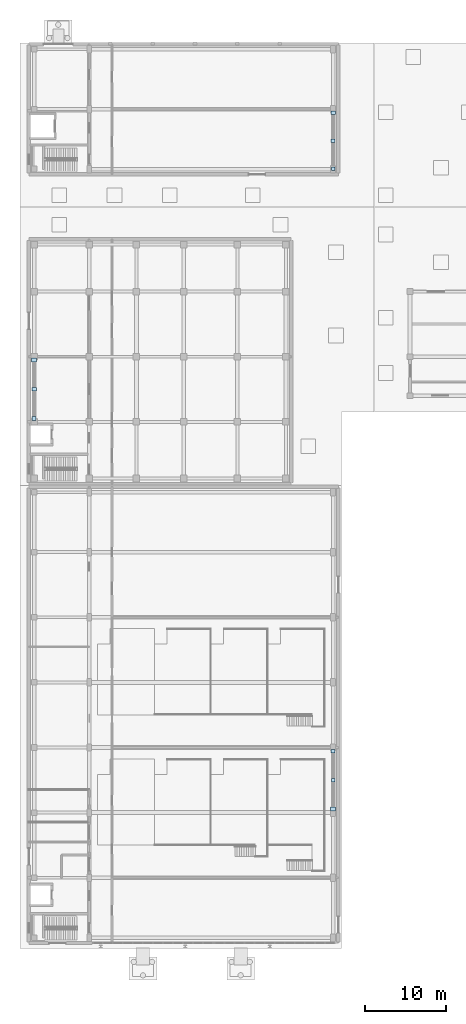
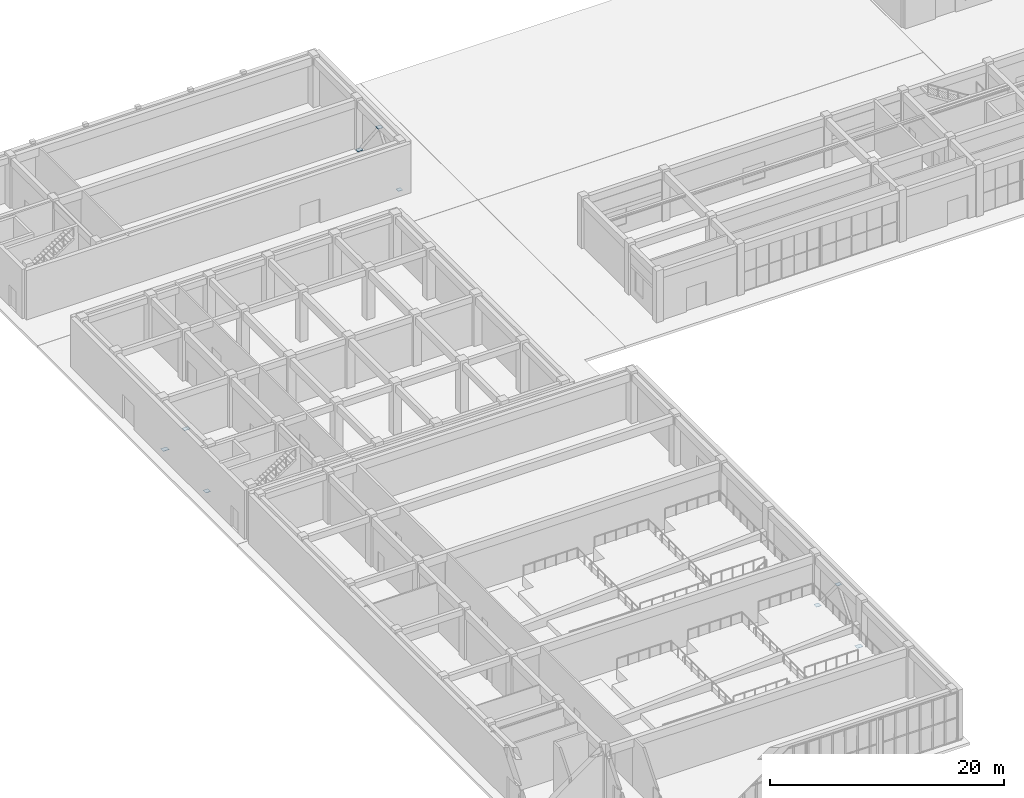
# One storey, part 26 of 46: 9 plates.
"""IFC4 building model written with IfcOpenShell, lengths in metres."""

from ifc_helpers import new_model, si_unit, direction, frame, origin, origin_2d, place, context, subcontext, project, spatial, rectangle, extrude, material, layer, layer_set, type_object, element, save


model = new_model("IFC4")

# Units and contexts
model_context = context("Model", 3, precision=1e-05, world=origin(), true_north=direction((0.0, 1.0)))
body_context = subcontext(model_context, "Body", "Model", "MODEL_VIEW")
ifc_project = project(units=[si_unit("LENGTHUNIT", "METRE"), si_unit("AREAUNIT", "SQUARE_METRE"), si_unit("VOLUMEUNIT", "CUBIC_METRE"), si_unit("PLANEANGLEUNIT", "RADIAN"), si_unit("MASSUNIT", "GRAM", prefix="KILO")], contexts=[model_context])

# Site, building, storey
site_placement = place(None, origin())
site = spatial("IfcSite", under=ifc_project, at=site_placement, CompositionType="ELEMENT")
building_placement = place(site_placement, origin())
building = spatial("IfcBuilding", under=site, at=building_placement, Name="Cinchona Park Media Centre", CompositionType="ELEMENT")
storey_placement = place(building_placement, origin())
storey = spatial("IfcBuildingStorey", under=building, at=storey_placement, Name="L00", CompositionType="ELEMENT", Elevation=0.0)

# Plates
ifc_material_1 = material(Name="Steel S355", Category="steel")
ifc_layer_1 = layer(ifc_material_1, 0.02001953125)
ifc_layer_set_1 = layer_set([ifc_layer_1], Name="Steel S355")
plate_type_1 = type_object("IfcPlateType", Name="PLATE-GP01", PredefinedType="USERDEFINED", material=ifc_layer_set_1)
for number, where, z_axis, x_axis, name in (
    (1, (45.360107421875, 27.60009765625, 4.330078125), (0.0, 0.0, 1.0), (1.0, 0.0, 0.0), "Truss Node Gusset Plate TN2"),
    (2, (45.360107421875, 102.695068359375, -0.005126953125), (0.0, 0.0, 1.0), (1.0, 0.0, 0.0), "Truss Node Gusset Plate TN2"),
):
    element("IfcPlate", number, at=place(storey_placement, frame(where, z_axis=z_axis, x_axis=x_axis)), inside=storey, type_object=plate_type_1, Name=name, ObjectType="GUSSET PLATE", PredefinedType="USERDEFINED", context=body_context, shape_type="SweptSolid", body=[
        extrude(rectangle(XDim=0.419921875, YDim=0.419921875, at=origin_2d()), origin(), (0.0, 0.0, 1.0), 0.02001953125),
    ])
ifc_material_2 = material(Name="Steel S355", Category="steel")
ifc_layer_2 = layer(ifc_material_2, 0.02197265625)
ifc_layer_set_2 = layer_set([ifc_layer_2], Name="Steel S355")
plate_type_2 = type_object("IfcPlateType", Name="PLATE-GP02", PredefinedType="USERDEFINED", material=ifc_layer_set_2)
for number, where, z_axis, x_axis, name in (
    (3, (45.360107421875, 31.14501953125, -0.006103515625), (0.0, 0.0, 1.0), (1.0, 0.0, 0.0), "Truss Node Gusset Plate TN2"),
    (4, (45.360107421875, 106.1201171875, 4.43896484375), (0.0, 0.0, 1.0), (1.0, 0.0, 0.0), "Truss Node Gusset Plate TN2"),
    (5, (8.639892578125, 72.0048828125, -0.006103515625), (0.0, 0.0, 1.0), (1.0, 0.0, 0.0), "Truss Node Gusset Plate TN2"),
):
    element("IfcPlate", number, at=place(storey_placement, frame(where, z_axis=z_axis, x_axis=x_axis)), inside=storey, type_object=plate_type_2, Name=name, ObjectType="GUSSET PLATE", PredefinedType="USERDEFINED", context=body_context, shape_type="SweptSolid", body=[
        extrude(rectangle(XDim=0.47998046875, YDim=0.47998046875, at=origin_2d()), origin(), (0.0, 0.0, 1.0), 0.02197265625),
    ])
ifc_material_3 = material(Name="Steel S355", Category="steel")
ifc_layer_3 = layer(ifc_material_3, 0.02392578125)
ifc_layer_set_3 = layer_set([ifc_layer_3], Name="Steel S355")
plate_type_3 = type_object("IfcPlateType", Name="PLATE-GP03", PredefinedType="USERDEFINED", material=ifc_layer_set_3)
for number, where, z_axis, x_axis, name in (
    (6, (45.360107421875, 109.544921875, -0.007080078125), (0.0, 0.0, 1.0), (1.0, 0.0, 0.0), "Truss Node Gusset Plate TN2"),
    (7, (8.639892578125, 75.60009765625, 4.30810546875), (0.0, 0.0, 1.0), (1.0, 0.0, 0.0), "Truss Node Gusset Plate TN2"),
):
    element("IfcPlate", number, at=place(storey_placement, frame(where, z_axis=z_axis, x_axis=x_axis)), inside=storey, type_object=plate_type_3, Name=name, ObjectType="GUSSET PLATE", PredefinedType="USERDEFINED", context=body_context, shape_type="SweptSolid", body=[
        extrude(rectangle(XDim=0.5400390625, YDim=0.419921875, at=origin_2d()), origin(), (0.0, 0.0, 1.0), 0.02392578125),
    ])
ifc_material_4 = material(Name="Steel S355", Category="steel")
ifc_layer_4 = layer(ifc_material_4, 0.02587890625)
ifc_layer_set_4 = layer_set([ifc_layer_4], Name="Steel S355")
plate_type_4 = type_object("IfcPlateType", Name="PLATE-GP04", PredefinedType="USERDEFINED", material=ifc_layer_set_4)
for number, where, z_axis, x_axis, name in (
    (8, (45.360107421875, 24.054931640625, -0.008056640625), (0.0, 0.0, 1.0), (1.0, 0.0, 0.0), "Truss Node Gusset Plate TN2"),
    (9, (8.639892578125, 79.195068359375, -0.008056640625), (0.0, 0.0, 1.0), (1.0, 0.0, 0.0), "Truss Node Gusset Plate TN2"),
):
    element("IfcPlate", number, at=place(storey_placement, frame(where, z_axis=z_axis, x_axis=x_axis)), inside=storey, type_object=plate_type_4, Name=name, ObjectType="GUSSET PLATE", PredefinedType="USERDEFINED", context=body_context, shape_type="SweptSolid", body=[
        extrude(rectangle(XDim=0.60009765625, YDim=0.4599609375, at=origin_2d()), origin(), (0.0, 0.0, 1.0), 0.02587890625),
    ])

save(model, "model.ifc")
